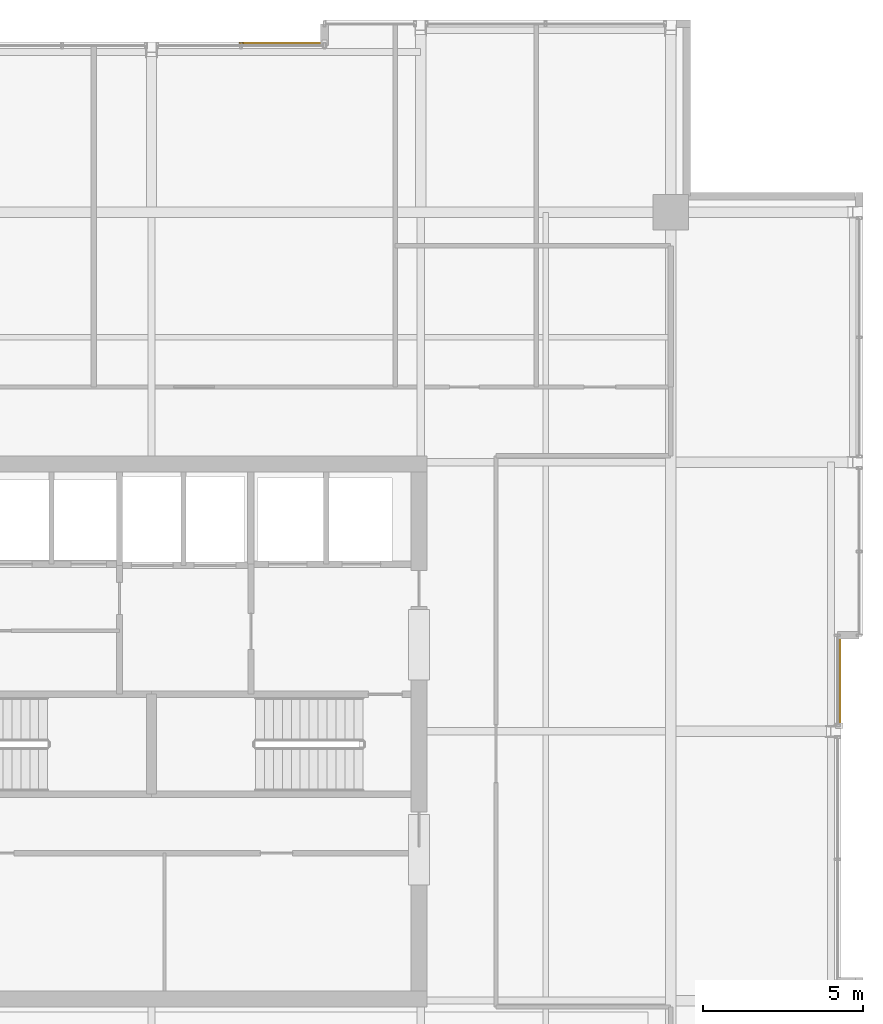
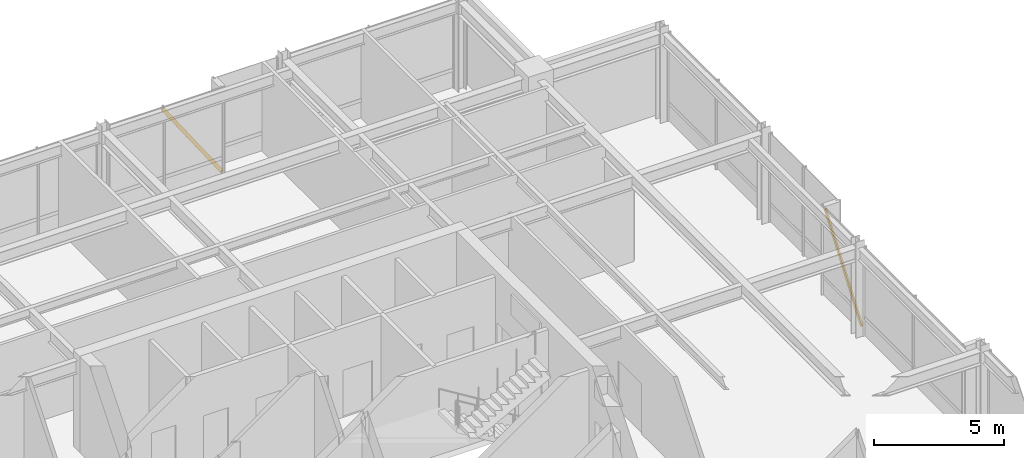
# One storey, part 32 of 32: 2 shading devices.
"""IFC4 building model written with IfcOpenShell, lengths in metres."""

from ifc_helpers import new_model, si_unit, direction, frame, origin, origin_2d, place, context, subcontext, project, spatial, hollow_rectangle, extrude, material, material_profile, profile_set, type_object, element, save


model = new_model("IFC4")

# Units and contexts
model_context = context("Model", 3, precision=1e-05, world=origin(), true_north=direction((0.0, 1.0)))
body_context = subcontext(model_context, "Body", "Model", "MODEL_VIEW")
ifc_project = project(units=[si_unit("LENGTHUNIT", "METRE"), si_unit("AREAUNIT", "SQUARE_METRE"), si_unit("VOLUMEUNIT", "CUBIC_METRE"), si_unit("PLANEANGLEUNIT", "RADIAN"), si_unit("MASSUNIT", "GRAM", prefix="KILO")], contexts=[model_context])

# Site, building, storey
site_placement = place(None, origin())
site = spatial("IfcSite", under=ifc_project, at=site_placement, CompositionType="ELEMENT")
building_placement = place(site_placement, origin())
building = spatial("IfcBuilding", under=site, at=building_placement, Name="Drelvath Grand Hotel", CompositionType="ELEMENT")
storey_placement = place(building_placement, frame((0.0, 0.0, 255.5)))
storey = spatial("IfcBuildingStorey", under=building, at=storey_placement, Name="L67", CompositionType="ELEMENT", Elevation=255.5)

# Shading devices
ifc_material = material(Name="Platinum-Mist Anodised Aluminium", Category="aluminium")
ifc_material_profile = material_profile(ifc_material, hollow_rectangle(XDim=0.06494140625, YDim=0.159912109375, WallThickness=0.00390625, at=origin_2d()), Name="HSS160X65X4")
ifc_profile_set = profile_set([ifc_material_profile], Name="Platinum-Mist Anodised Aluminium")
shading_device_type = type_object("IfcShadingDeviceType", Name="Diagonal Solar Fin Platinum Anodised HSS160X65X4", PredefinedType="USERDEFINED", material=ifc_profile_set)
shading_device_1_placement = place(storey_placement, frame((21.47998046875, 27.17822265625, 0.179931640625), z_axis=(0.0, 0.594152542983, 0.80435238277), x_axis=(-1.0, 0.0, 0.0)))
element("IfcShadingDevice", 1, at=shading_device_1_placement, inside=storey, type_object=shading_device_type, Name="L67 Diagonal Anodised Fin CW05-L67-EM2", ObjectType="FIN", PredefinedType="USERDEFINED", context=body_context, shape_type="SweptSolid", body=[
    extrude(hollow_rectangle(XDim=0.06494140625, YDim=0.159912109375, WallThickness=0.00390625, at=origin_2d()), origin(), (0.0, 0.0, 1.0), 4.749267578125),
])
shading_device_2_placement = place(storey_placement, frame((5.39990234375, 48.47998046875, 0.179931640625), z_axis=(-0.564258244073, 0.0, 0.825598349075), x_axis=(0.0, -1.0, 0.0)))
element("IfcShadingDevice", 2, at=shading_device_2_placement, inside=storey, type_object=shading_device_type, Name="L67 Diagonal Anodised Fin CW05-L67-NM2", ObjectType="FIN", PredefinedType="USERDEFINED", context=body_context, shape_type="SweptSolid", body=[
    extrude(hollow_rectangle(XDim=0.06494140625, YDim=0.159912109375, WallThickness=0.00390625, at=origin_2d()), origin(), (0.0, 0.0, 1.0), 4.626953125),
])

save(model, "model.ifc")
